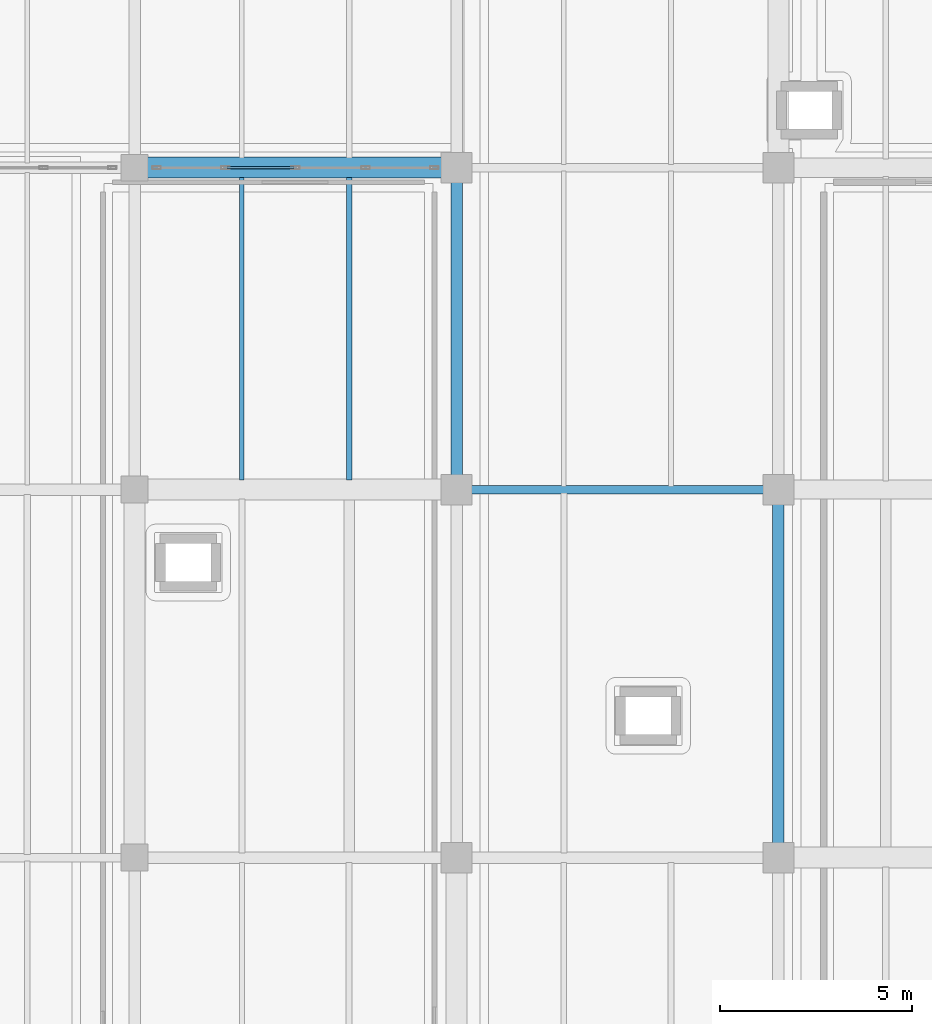
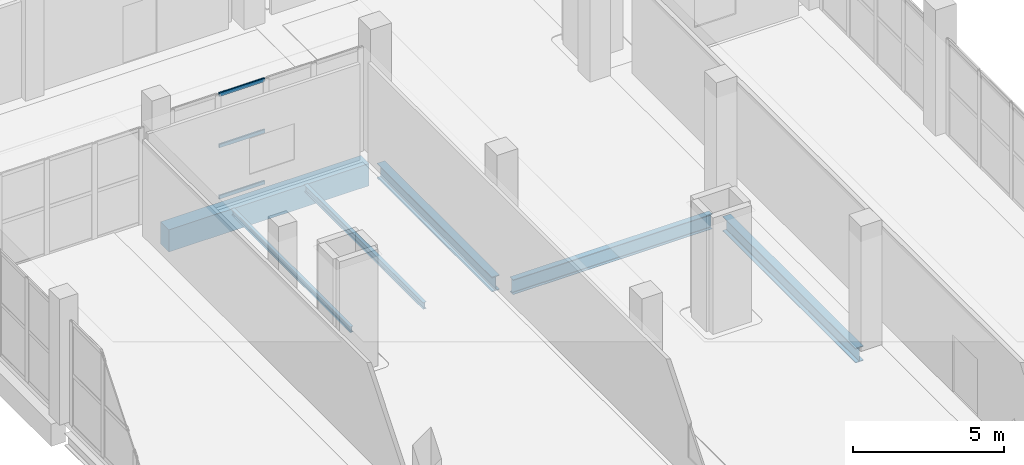
# One storey, part 33 of 73: 6 beams, 3 members, 1 element without a shape of its own.
"""IFC4 building model written with IfcOpenShell, lengths in metres."""

from ifc_helpers import new_model, si_unit, direction, frame, origin, origin_2d, place, context, subcontext, project, spatial, rectangle, hollow_rectangle, i_section, extrude, material, layer, layer_set, material_profile, profile_set, type_object, element, aggregate, save


model = new_model("IFC4")

# Units and contexts
model_context = context("Model", 3, precision=1e-05, world=origin(), true_north=direction((0.0, 1.0)))
body_context = subcontext(model_context, "Body", "Model", "MODEL_VIEW")
ifc_project = project(units=[si_unit("LENGTHUNIT", "METRE"), si_unit("AREAUNIT", "SQUARE_METRE"), si_unit("VOLUMEUNIT", "CUBIC_METRE"), si_unit("PLANEANGLEUNIT", "RADIAN"), si_unit("MASSUNIT", "GRAM", prefix="KILO")], contexts=[model_context])

# Site, building, storey
site_placement = place(None, origin())
site = spatial("IfcSite", under=ifc_project, at=site_placement, CompositionType="ELEMENT")
building_placement = place(site_placement, origin())
building = spatial("IfcBuilding", under=site, at=building_placement, Name="Zulmaris Art Gallery", CompositionType="ELEMENT")
storey_placement = place(building_placement, frame((0.0, 0.0, 10.5)))
storey = spatial("IfcBuildingStorey", under=building, at=storey_placement, Name="L02", CompositionType="ELEMENT", Elevation=10.5)

# Beams
ifc_material_1 = material(Name="Steel S355J2", Category="steel")
ifc_material_profile_1 = material_profile(ifc_material_1, i_section(OverallWidth=0.219970703125, OverallDepth=0.60009765625, WebThickness=0.011962890625, FlangeThickness=0.01904296875, FilletRadius=0.02392578125, at=origin_2d()), Name="IPE 600")
ifc_profile_set_1 = profile_set([ifc_material_profile_1], Name="Steel S355J2")
beam_type_1 = type_object("IfcBeamType", Name="BEAM-BM07", PredefinedType="BEAM", material=ifc_profile_set_1)
beam_1_placement = place(storey_placement, frame((141.985107421875, 50.39990234375, -0.695068359375), z_axis=(1.0, 0.0, 0.0), x_axis=(0.0, 1.0, 0.0)))
element("IfcBeam", 1, at=beam_1_placement, inside=storey, type_object=beam_type_1, Name="L02 X-girder (141.6..150.0, y=50.4)", PredefinedType="BEAM", context=body_context, shape_type="SweptSolid", body=[
    extrude(i_section(OverallWidth=0.219970703125, OverallDepth=0.60009765625, WebThickness=0.011962890625, FlangeThickness=0.01904296875, FilletRadius=0.02392578125, at=origin_2d()), origin(), (0.0, 0.0, 1.0), 7.6298828125),
])
ifc_material_profile_2 = material_profile(ifc_material_1, i_section(OverallWidth=0.300048828125, OverallDepth=0.60009765625, WebThickness=0.015380859375, FlangeThickness=0.030029296875, FilletRadius=0.027099609375, at=origin_2d()), Name="HEB 600")
ifc_profile_set_2 = profile_set([ifc_material_profile_2], Name="Steel S355J2")
beam_type_2 = type_object("IfcBeamType", Name="BEAM-BM15", PredefinedType="BEAM", material=ifc_profile_set_2)
beam_2_placement = place(storey_placement, frame((141.60009765625, 50.784912109375, -0.699951171875), z_axis=(0.0, 1.0, 0.0), x_axis=(-1.0, 0.0, 0.0)))
element("IfcBeam", 2, at=beam_2_placement, inside=storey, type_object=beam_type_2, Name="L02 Y-girder (x=141.6, 50.4..58.8)", PredefinedType="BEAM", context=body_context, shape_type="SweptSolid", body=[
    extrude(i_section(OverallWidth=0.300048828125, OverallDepth=0.60009765625, WebThickness=0.015380859375, FlangeThickness=0.030029296875, FilletRadius=0.027099609375, at=origin_2d()), origin(), (0.0, 0.0, 1.0), 7.630126953125),
])
beam_3_placement = place(storey_placement, frame((150.0, 41.18505859375, -0.699951171875), z_axis=(0.0, 1.0, 0.0), x_axis=(-1.0, 0.0, 0.0)))
element("IfcBeam", 3, at=beam_3_placement, inside=storey, type_object=beam_type_2, Name="L02 Y-girder (x=150.0, 40.8..50.4)", PredefinedType="BEAM", context=body_context, shape_type="SweptSolid", body=[
    extrude(i_section(OverallWidth=0.300048828125, OverallDepth=0.60009765625, WebThickness=0.015380859375, FlangeThickness=0.030029296875, FilletRadius=0.027099609375, at=origin_2d()), origin(), (0.0, 0.0, 1.0), 8.829833984375),
])
ifc_material_2 = material(Name="Concrete C40/50", Category="concrete")
ifc_material_profile_3 = material_profile(ifc_material_2, rectangle(XDim=0.550048828125, YDim=0.89990234375, at=origin_2d()), Name="RC 550x900")
ifc_profile_set_3 = profile_set([ifc_material_profile_3], Name="Concrete C40/50")
beam_type_3 = type_object("IfcBeamType", Name="BEAM-BM21", PredefinedType="BEAM", material=ifc_profile_set_3)
beam_4_placement = place(storey_placement, frame((133.534912109375, 58.800048828125, -0.85009765625), z_axis=(1.0, 0.0, 0.0), x_axis=(0.0, 1.0, 0.0)))
element("IfcBeam", 4, at=beam_4_placement, inside=storey, type_object=beam_type_3, Name="L02 X-girder (133.2..141.6, y=58.8)", PredefinedType="BEAM", context=body_context, shape_type="SweptSolid", body=[
    extrude(rectangle(XDim=0.550048828125, YDim=0.89990234375, at=origin_2d()), origin(), (0.0, 0.0, 1.0), 7.68017578125),
])
ifc_material_profile_4 = material_profile(ifc_material_1, i_section(OverallWidth=0.1201171875, OverallDepth=0.239990234375, WebThickness=0.006103515625, FlangeThickness=0.009765625, FilletRadius=0.014892578125, at=origin_2d()), Name="IPE 240")
ifc_profile_set_4 = profile_set([ifc_material_profile_4], Name="Steel S355J2")
beam_type_4 = type_object("IfcBeamType", Name="BEAM-JS01", PredefinedType="JOIST", material=ifc_profile_set_4)
beam_5_placement = place(storey_placement, frame((136.0, 50.64990234375, -0.52001953125), z_axis=(0.0, 1.0, 0.0), x_axis=(-1.0, 0.0, 0.0)))
element("IfcBeam", 5, at=beam_5_placement, inside=storey, type_object=beam_type_4, Name="L02 secondary joist at x=136.0", PredefinedType="JOIST", context=body_context, shape_type="SweptSolid", body=[
    extrude(i_section(OverallWidth=0.1201171875, OverallDepth=0.239990234375, WebThickness=0.006103515625, FlangeThickness=0.009765625, FilletRadius=0.014892578125, at=origin_2d()), origin(), (0.0, 0.0, 1.0), 7.900146484375),
])
ifc_material_profile_5 = material_profile(ifc_material_1, i_section(OverallWidth=0.135009765625, OverallDepth=0.27001953125, WebThickness=0.006591796875, FlangeThickness=0.01025390625, FilletRadius=0.014892578125, at=origin_2d()), Name="IPE 270")
ifc_profile_set_5 = profile_set([ifc_material_profile_5], Name="Steel S355J2")
beam_type_5 = type_object("IfcBeamType", Name="BEAM-JS02", PredefinedType="JOIST", material=ifc_profile_set_5)
beam_6_placement = place(storey_placement, frame((138.800048828125, 50.64990234375, -0.534912109375), z_axis=(0.0, 1.0, 0.0), x_axis=(-1.0, 0.0, 0.0)))
element("IfcBeam", 6, at=beam_6_placement, inside=storey, type_object=beam_type_5, Name="L02 secondary joist at x=138.8", PredefinedType="JOIST", context=body_context, shape_type="SweptSolid", body=[
    extrude(i_section(OverallWidth=0.135009765625, OverallDepth=0.27001953125, WebThickness=0.006591796875, FlangeThickness=0.01025390625, FilletRadius=0.014892578125, at=origin_2d()), origin(), (0.0, 0.0, 1.0), 7.900146484375),
])

# Curtain wall, members
ifc_material_3 = material(Name="Unitised Low-E Gallery Curtain Wall", Category="aluminium")
ifc_layer = layer(ifc_material_3, 0.179931640625)
ifc_layer_set = layer_set([ifc_layer], Name="Unitised Low-E Gallery Curtain Wall")
curtain_wall_type = type_object("IfcCurtainWallType", Name="CW-CW01", PredefinedType="NOTDEFINED", material=ifc_layer_set)
curtain_wall_placement = place(storey_placement, origin())
curtain_wall = element("IfcCurtainWall", 7, at=curtain_wall_placement, inside=storey, type_object=curtain_wall_type, Name="L02 curtain wall 109", PredefinedType="NOTDEFINED")
ifc_material_4 = material(Name="Anodised Bronze Aluminium", Category="aluminium")
ifc_material_profile_6 = material_profile(ifc_material_4, hollow_rectangle(XDim=0.06494140625, YDim=0.14990234375, WallThickness=0.00390625, InnerFilletRadius=0.006103515625, OuterFilletRadius=0.010009765625, at=origin_2d()), Name="ALU 65x150x4")
ifc_profile_set_6 = profile_set([ifc_material_profile_6], Name="Anodised Bronze Aluminium")
member_type = type_object("IfcMemberType", Name="CWTRN-01", PredefinedType="USERDEFINED", material=ifc_profile_set_6)
member_1_placement = place(storey_placement, frame((135.607421875, 58.800048828125, 0.03759765625), z_axis=(1.0, 0.0, 0.0), x_axis=(0.0, 1.0, 0.0)))
member_1 = element("IfcMember", 8, at=member_1_placement, type_object=member_type, Name="CW01 transom 2.1", ObjectType="TRANSOM", PredefinedType="USERDEFINED", context=body_context, shape_type="SweptSolid", body=[
    extrude(hollow_rectangle(XDim=0.06494140625, YDim=0.14990234375, WallThickness=0.00390625, InnerFilletRadius=0.006103515625, OuterFilletRadius=0.010009765625, at=origin_2d()), origin(), (0.0, 0.0, 1.0), 1.755126953125),
])
member_2_placement = place(storey_placement, frame((135.607421875, 58.800048828125, 2.114990234375), z_axis=(1.0, 0.0, 0.0), x_axis=(0.0, 1.0, 0.0)))
member_2 = element("IfcMember", 9, at=member_2_placement, type_object=member_type, Name="CW01 transom 2.2", ObjectType="TRANSOM", PredefinedType="USERDEFINED", context=body_context, shape_type="SweptSolid", body=[
    extrude(hollow_rectangle(XDim=0.06494140625, YDim=0.14990234375, WallThickness=0.00390625, InnerFilletRadius=0.006103515625, OuterFilletRadius=0.010009765625, at=origin_2d()), origin(), (0.0, 0.0, 1.0), 1.755126953125),
])
member_3_placement = place(storey_placement, frame((135.607421875, 58.800048828125, 4.1923828125), z_axis=(1.0, 0.0, 0.0), x_axis=(0.0, 1.0, 0.0)))
member_3 = element("IfcMember", 10, at=member_3_placement, type_object=member_type, Name="CW01 transom 2.3", ObjectType="TRANSOM", PredefinedType="USERDEFINED", context=body_context, shape_type="SweptSolid", body=[
    extrude(hollow_rectangle(XDim=0.06494140625, YDim=0.14990234375, WallThickness=0.00390625, InnerFilletRadius=0.006103515625, OuterFilletRadius=0.010009765625, at=origin_2d()), origin(), (0.0, 0.0, 1.0), 1.755126953125),
])
aggregate(curtain_wall, [member_1, member_2, member_3])

save(model, "model.ifc")
